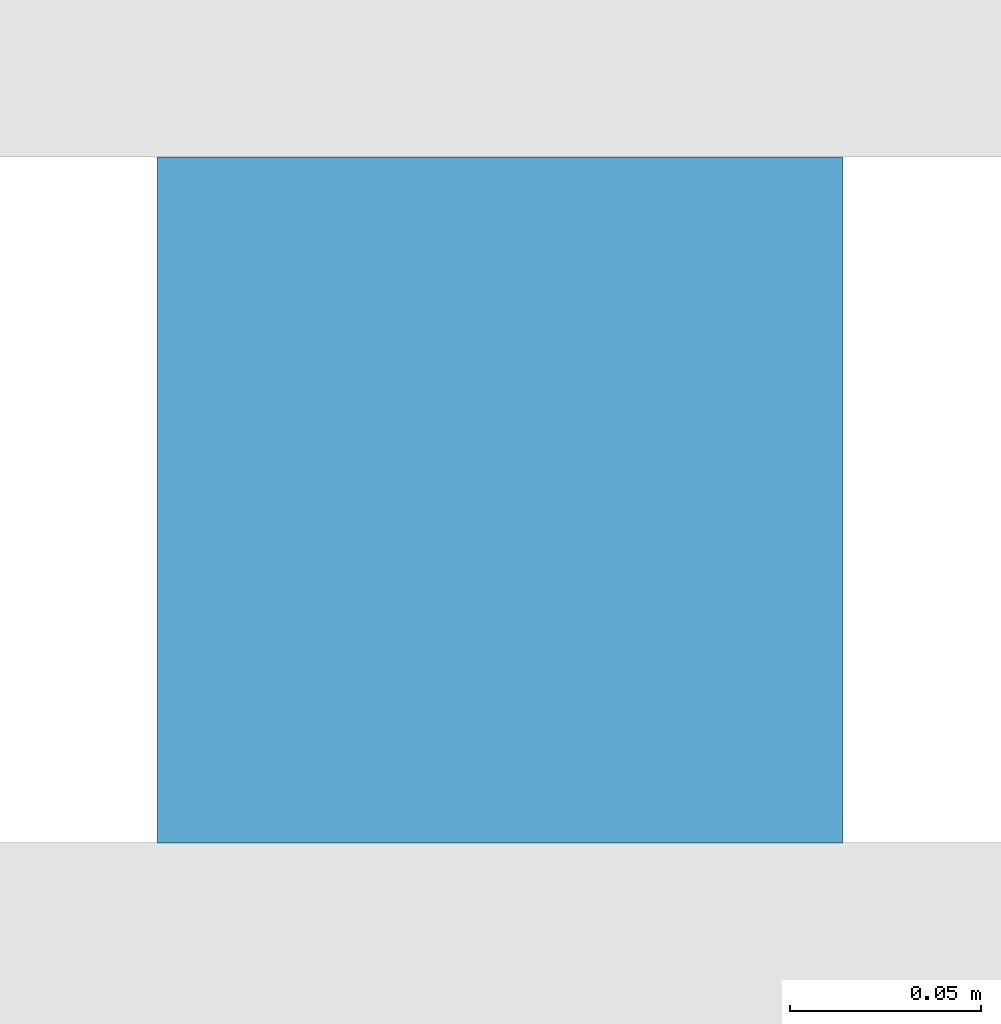
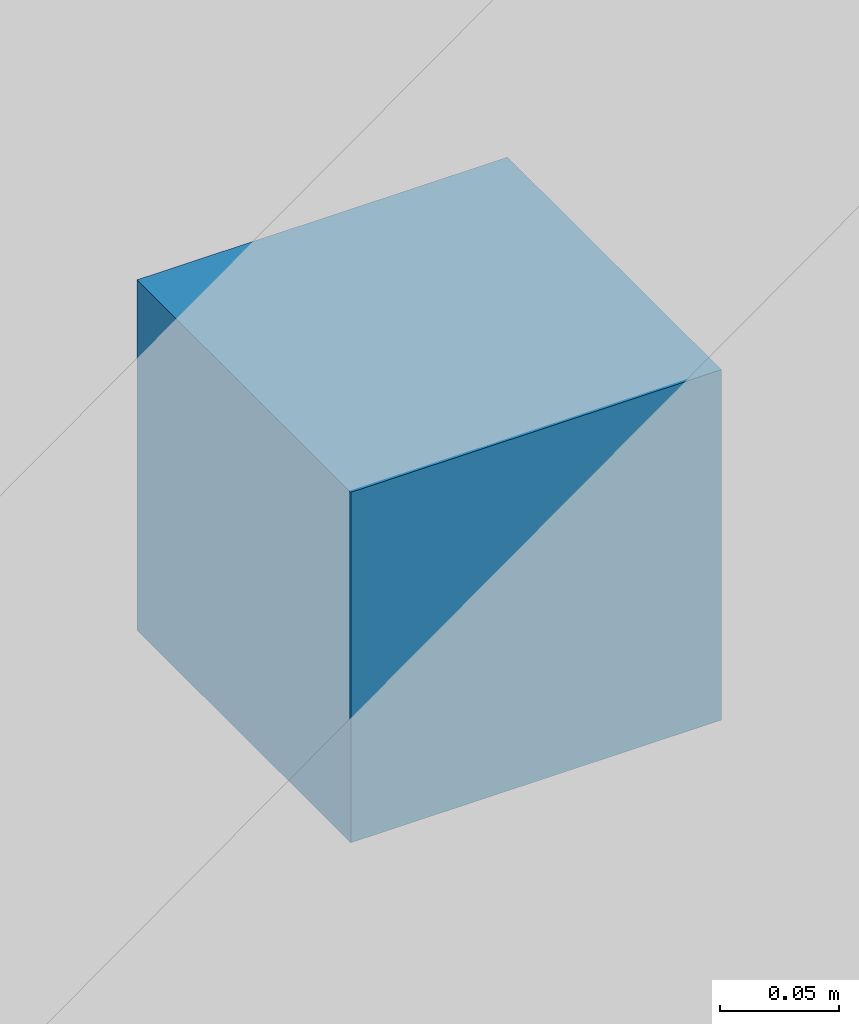
# One storey, part 77 of 92: 1 discrete accessory.
"""IFC4 building model written with IfcOpenShell, lengths in metres."""

from ifc_helpers import new_model, si_unit, direction, frame, origin, origin_2d, place, context, subcontext, project, spatial, rectangle, extrude, material, type_object, element, save


model = new_model("IFC4")

# Units and contexts
model_context = context("Model", 3, precision=1e-05, world=origin(), true_north=direction((0.0, 1.0)))
body_context = subcontext(model_context, "Body", "Model", "MODEL_VIEW")
ifc_project = project(units=[si_unit("LENGTHUNIT", "METRE"), si_unit("AREAUNIT", "SQUARE_METRE"), si_unit("VOLUMEUNIT", "CUBIC_METRE"), si_unit("PLANEANGLEUNIT", "RADIAN"), si_unit("MASSUNIT", "GRAM", prefix="KILO")], contexts=[model_context])

# Site, building, storey
site_placement = place(None, origin())
site = spatial("IfcSite", under=ifc_project, at=site_placement, CompositionType="ELEMENT")
building_placement = place(site_placement, origin())
building = spatial("IfcBuilding", under=site, at=building_placement, Name="Solanera Park Tramway Depot", CompositionType="ELEMENT")
storey_placement = place(building_placement, frame((0.0, 0.0, 4.800048828125)))
storey = spatial("IfcBuildingStorey", under=building, at=storey_placement, Name="L01", CompositionType="ELEMENT", Elevation=4.800048828125)

# Discrete accessory
ifc_material = material(Name="Steel AS/NZS 3679.1 Grade 350", Category="steel")
discrete_accessory_type = type_object("IfcDiscreteAccessoryType", Name="Facade Sunshade Fixing Bracket 180x180", PredefinedType="BRACKET", material=ifc_material)
discrete_accessory_placement = place(storey_placement, frame((182.949951171875, 114.969970703125, 1.56494140625), z_axis=(0.0, 0.0, 1.0), x_axis=(1.0, 0.0, 0.0)))
element("IfcDiscreteAccessory", 1, at=discrete_accessory_placement, inside=storey, type_object=discrete_accessory_type, Name="Jalousie Bracket #014", PredefinedType="BRACKET", context=body_context, shape_type="SweptSolid", body=[
    extrude(rectangle(XDim=0.179931640625, YDim=0.179931640625, at=origin_2d()), origin(), (0.0, 0.0, 1.0), 0.179931640625),
])

save(model, "model.ifc")
